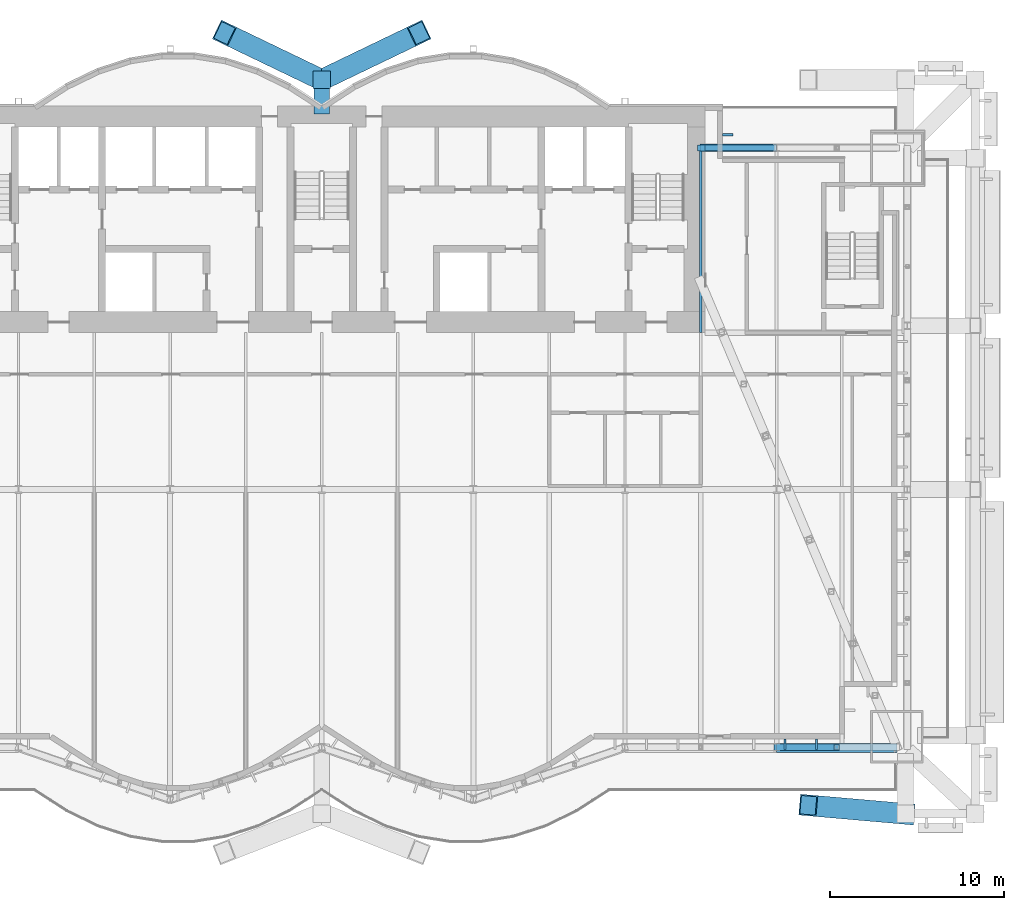
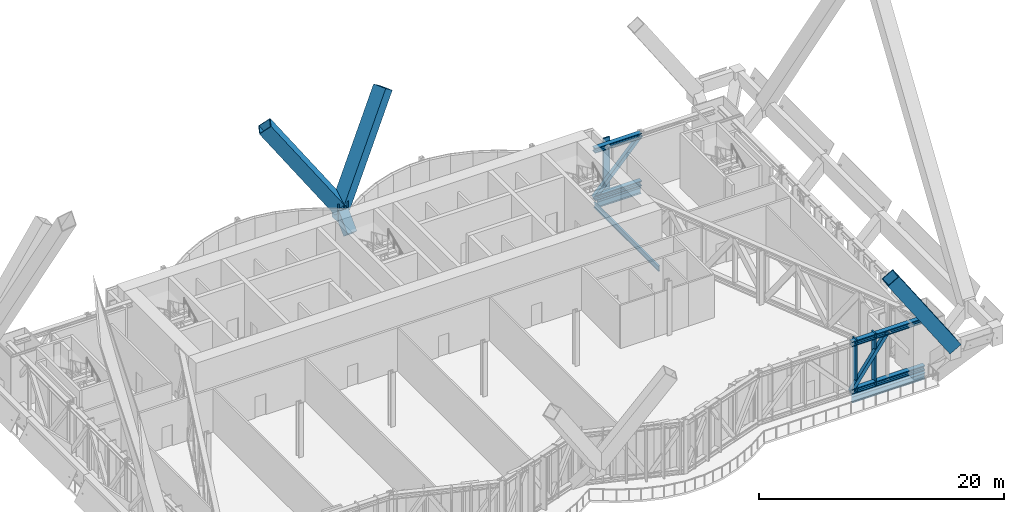
# One storey, part 15 of 32: 14 members, 3 beams, 1 element without a shape of its own.
"""IFC4 building model written with IfcOpenShell, lengths in metres."""

from ifc_helpers import new_model, si_unit, direction, frame, origin, origin_2d, place, context, subcontext, project, spatial, rectangle, hollow_rectangle, i_section, extrude, material, material_profile, profile_set, type_object, element, aggregate, save


model = new_model("IFC4")

# Units and contexts
model_context = context("Model", 3, precision=1e-05, world=origin(), true_north=direction((0.0, 1.0)))
body_context = subcontext(model_context, "Body", "Model", "MODEL_VIEW")
ifc_project = project(units=[si_unit("LENGTHUNIT", "METRE"), si_unit("AREAUNIT", "SQUARE_METRE"), si_unit("VOLUMEUNIT", "CUBIC_METRE"), si_unit("PLANEANGLEUNIT", "RADIAN"), si_unit("MASSUNIT", "GRAM", prefix="KILO")], contexts=[model_context])

# Site, building, storey
site_placement = place(None, origin())
site = spatial("IfcSite", under=ifc_project, at=site_placement, CompositionType="ELEMENT")
building_placement = place(site_placement, origin())
building = spatial("IfcBuilding", under=site, at=building_placement, Name="Bicima Exchange Tower", CompositionType="ELEMENT")
storey_placement = place(building_placement, frame((0.0, 0.0, 84.5)))
storey = spatial("IfcBuildingStorey", under=building, at=storey_placement, Name="L17", CompositionType="ELEMENT", Elevation=84.5)

# Curtain wall, members
ifc_material_1 = material(Name="Anodised bronze aluminium", Category="aluminium")
curtain_wall_type = type_object("IfcCurtainWallType", Name="Band blade screen", PredefinedType="NOTDEFINED", material=ifc_material_1)
curtain_wall_placement = place(storey_placement, origin())
curtain_wall = element("IfcCurtainWall", 1, at=curtain_wall_placement, inside=storey, type_object=curtain_wall_type, Name="Band blade screen L17", PredefinedType="NOTDEFINED")
ifc_material_profile_1 = material_profile(ifc_material_1, rectangle(XDim=0.60009765625, YDim=0.1201171875, at=origin_2d()))
ifc_profile_set_1 = profile_set([ifc_material_profile_1], Name="Anodised bronze aluminium")
member_type_1 = type_object("IfcMemberType", Name="Band blade fin 600 x 120", PredefinedType="USERDEFINED", material=ifc_profile_set_1)
member_1_placement = place(storey_placement, frame((23.300048828125, -1.64990234375, 0.0), z_axis=(0.0, 0.0, 1.0), x_axis=(-1.0, 0.0, 0.0)))
member_1 = element("IfcMember", 2, at=member_1_placement, type_object=member_type_1, Name="Band blade fin 13", ObjectType="FIN", PredefinedType="USERDEFINED", context=body_context, shape_type="SweptSolid", body=[
    extrude(rectangle(XDim=0.60009765625, YDim=0.1201171875, at=origin_2d()), origin(), (0.0, 0.0, 1.0), 5.25),
])
member_2_placement = place(storey_placement, frame((26.587158203125, -36.615966796875, 0.0), z_axis=(0.0, 0.0, 1.0), x_axis=(0.0, 1.0, 0.0)))
member_2 = element("IfcMember", 3, at=member_2_placement, type_object=member_type_1, Name="Band blade fin 59", ObjectType="FIN", PredefinedType="USERDEFINED", context=body_context, shape_type="SweptSolid", body=[
    extrude(rectangle(XDim=0.60009765625, YDim=0.1201171875, at=origin_2d()), origin(), (0.0, 0.0, 1.0), 5.25),
])
member_3_placement = place(storey_placement, frame((28.38720703125, -36.615966796875, 0.0), z_axis=(0.0, 0.0, 1.0), x_axis=(0.0, 1.0, 0.0)))
member_3 = element("IfcMember", 4, at=member_3_placement, type_object=member_type_1, Name="Band blade fin 60", ObjectType="FIN", PredefinedType="USERDEFINED", context=body_context, shape_type="SweptSolid", body=[
    extrude(rectangle(XDim=0.60009765625, YDim=0.1201171875, at=origin_2d()), origin(), (0.0, 0.0, 1.0), 5.25),
])
aggregate(curtain_wall, [member_1, member_2, member_3])

# Members
ifc_material_2 = material(Name="Steel ASTM A992 Gr 50", Category="steel")
ifc_material_profile_2 = material_profile(ifc_material_2, i_section(OverallWidth=0.431884765625, OverallDepth=0.497802734375, WebThickness=0.0556640625, FlangeThickness=0.0888671875, at=origin_2d()))
ifc_profile_set_2 = profile_set([ifc_material_profile_2], Name="Steel ASTM A992 Gr 50")
member_type_2 = type_object("IfcMemberType", Name="Belt truss chord W14x500", PredefinedType="CHORD", material=ifc_profile_set_2)
for number, where, z_axis, x_axis, name in (
    (5, (26.10009765625, -36.7939453125, 5.001220703125), (1.0, 0.0, 0.0), (0.0, 1.0, 0.0), "Top chord"),
    (6, (26.10009765625, -36.7939453125, 0.248779296875), (1.0, 0.0, 0.0), (0.0, 1.0, 0.0), "Bottom chord"),
):
    element("IfcMember", number, at=place(storey_placement, frame(where, z_axis=z_axis, x_axis=x_axis)), inside=storey, type_object=member_type_2, Name=name, PredefinedType="CHORD", context=body_context, shape_type="SweptSolid", body=[
        extrude(i_section(OverallWidth=0.431884765625, OverallDepth=0.497802734375, WebThickness=0.0556640625, FlangeThickness=0.0888671875, at=origin_2d()), origin(), (0.0, 0.0, 1.0), 6.89990234375),
    ])
for number, where, z_axis, x_axis, name in (
    (7, (21.699951171875, -2.39990234375, 5.001220703125), (1.0, 0.0, 0.0), (0.0, 1.0, 0.0), "Top chord"),
    (8, (21.699951171875, -2.39990234375, 0.248779296875), (1.0, 0.0, 0.0), (0.0, 1.0, 0.0), "Bottom chord"),
):
    element("IfcMember", number, at=place(storey_placement, frame(where, z_axis=z_axis, x_axis=x_axis)), inside=storey, type_object=member_type_2, Name=name, PredefinedType="CHORD", context=body_context, shape_type="SweptSolid", body=[
        extrude(i_section(OverallWidth=0.431884765625, OverallDepth=0.497802734375, WebThickness=0.0556640625, FlangeThickness=0.0888671875, at=origin_2d()), origin(), (0.0, 0.0, 1.0), 4.400146484375),
    ])
ifc_material_3 = material(Name="Steel ASTM A572 Gr 50", Category="steel")
ifc_material_profile_3 = material_profile(ifc_material_3, hollow_rectangle(XDim=0.355712890625, YDim=0.355712890625, WallThickness=0.0146484375, at=origin_2d()))
ifc_profile_set_3 = profile_set([ifc_material_profile_3], Name="Steel ASTM A572 Gr 50")
member_type_3 = type_object("IfcMemberType", Name="Belt truss diagonal HSS14x14x5/8", PredefinedType="STRUT", material=ifc_profile_set_3)
member_4_placement = place(storey_placement, frame((26.10009765625, -36.7939453125, 0.248779296875), z_axis=(0.587462041023, 0.0, 0.809251722493), x_axis=(0.0, 1.0, 0.0)))
element("IfcMember", 9, at=member_4_placement, inside=storey, type_object=member_type_3, Name="Truss diagonal", PredefinedType="STRUT", context=body_context, shape_type="SweptSolid", body=[
    extrude(hollow_rectangle(XDim=0.355712890625, YDim=0.355712890625, WallThickness=0.0146484375, at=origin_2d()), origin(), (0.0, 0.0, 1.0), 5.87255859375),
])
member_5_placement = place(storey_placement, frame((21.699951171875, -2.39990234375, 0.248779296875), z_axis=(0.67938623239, 0.0, 0.733780857776), x_axis=(0.0, 1.0, 0.0)))
element("IfcMember", 10, at=member_5_placement, inside=storey, type_object=member_type_3, Name="Truss diagonal", PredefinedType="STRUT", context=body_context, shape_type="SweptSolid", body=[
    extrude(hollow_rectangle(XDim=0.355712890625, YDim=0.355712890625, WallThickness=0.0146484375, at=origin_2d()), origin(), (0.0, 0.0, 1.0), 6.4765625),
])
ifc_material_profile_4 = material_profile(ifc_material_3, hollow_rectangle(XDim=1.199951171875, YDim=1.199951171875, WallThickness=0.070068359375, at=origin_2d()))
ifc_profile_set_4 = profile_set([ifc_material_profile_4], Name="Steel ASTM A572 Gr 50")
member_type_4 = type_object("IfcMemberType", Name="Exo mega brace BOX 1200x1200x70", PredefinedType="BRACE", material=ifc_profile_set_4)
member_6_placement = place(storey_placement, frame((0.0, 1.5, 4.5), z_axis=(0.53421092373, 0.257049149711, 0.80532255873), x_axis=(-0.433591692225, 0.901109451972, 0.0)))
element("IfcMember", 11, at=member_6_placement, inside=storey, type_object=member_type_4, Name="Exo mega brace rear", PredefinedType="BRACE", context=body_context, shape_type="SweptSolid", body=[
    extrude(hollow_rectangle(XDim=1.199951171875, YDim=1.199951171875, WallThickness=0.070068359375, at=origin_2d()), origin(), (0.0, 0.0, 1.0), 10.451416015625),
])
member_7_placement = place(storey_placement, frame((33.5, -40.61279296875, 4.5), z_axis=(-0.55214125077, 0.048263166745, 0.832352513022), x_axis=(-0.08707886834, -0.996201420742, 0.0)))
element("IfcMember", 12, at=member_7_placement, inside=storey, type_object=member_type_4, Name="Exo mega brace front", PredefinedType="BRACE", context=body_context, shape_type="SweptSolid", body=[
    extrude(hollow_rectangle(XDim=1.199951171875, YDim=1.199951171875, WallThickness=0.070068359375, at=origin_2d()), origin(), (0.0, 0.0, 1.0), 10.112060546875),
])
member_8_placement = place(storey_placement, frame((0.0, 1.5, 4.5), z_axis=(-0.53421092373, 0.257049149711, 0.80532255873), x_axis=(-0.433591692225, -0.901109451972, 0.0)))
element("IfcMember", 13, at=member_8_placement, inside=storey, type_object=member_type_4, Name="Exo mega brace rear", PredefinedType="BRACE", context=body_context, shape_type="SweptSolid", body=[
    extrude(hollow_rectangle(XDim=1.199951171875, YDim=1.199951171875, WallThickness=0.070068359375, at=origin_2d()), origin(), (0.0, 0.0, 1.0), 10.451416015625),
])
ifc_material_4 = material(Name="Cast steel ASTM A216 Gr WCB", Category="steel")
ifc_material_profile_5 = material_profile(ifc_material_4, rectangle(XDim=1.0, YDim=1.0, at=origin_2d()))
ifc_profile_set_5 = profile_set([ifc_material_profile_5], Name="Cast steel ASTM A216 Gr WCB")
member_type_5 = type_object("IfcMemberType", Name="Exo node block", PredefinedType="POST", material=ifc_profile_set_5)
member_9_placement = place(storey_placement, frame((0.0, 1.5, 3.449951171875), z_axis=(0.0, 0.0, 1.0), x_axis=(1.0, 0.0, 0.0)))
element("IfcMember", 14, at=member_9_placement, inside=storey, type_object=member_type_5, Name="Exo node block", PredefinedType="POST", context=body_context, shape_type="SweptSolid", body=[
    extrude(rectangle(XDim=1.0, YDim=1.0, at=origin_2d()), origin(), (0.0, 0.0, 1.0), 1.800048828125),
])
ifc_material_profile_6 = material_profile(ifc_material_3, hollow_rectangle(XDim=0.89990234375, YDim=0.89990234375, WallThickness=0.050048828125, at=origin_2d()))
ifc_profile_set_6 = profile_set([ifc_material_profile_6], Name="Steel ASTM A572 Gr 50")
member_type_6 = type_object("IfcMemberType", Name="Exo outrigger stub BOX 900x900x50", PredefinedType="STRUT", material=ifc_profile_set_6)
member_10_placement = place(storey_placement, frame((0.0, -0.14990234375, 2.85009765625), z_axis=(0.0, 0.707106781187, 0.707106781187), x_axis=(-1.0, 0.0, 0.0)))
element("IfcMember", 15, at=member_10_placement, inside=storey, type_object=member_type_6, Name="Exo outrigger stub", PredefinedType="STRUT", context=body_context, shape_type="SweptSolid", body=[
    extrude(hollow_rectangle(XDim=0.89990234375, YDim=0.89990234375, WallThickness=0.050048828125, at=origin_2d()), origin(), (0.0, 0.0, 1.0), 2.333251953125),
])

# Beams
ifc_material_profile_7 = material_profile(ifc_material_2, i_section(OverallWidth=0.165771484375, OverallDepth=0.5283203125, WebThickness=0.009765625, FlangeThickness=0.013671875, at=origin_2d()))
ifc_profile_set_7 = profile_set([ifc_material_profile_7], Name="Steel ASTM A992 Gr 50")
beam_type_1 = type_object("IfcBeamType", Name="Floor beam W21x50", PredefinedType="JOIST", material=ifc_profile_set_7)
beam_1_placement = place(storey_placement, frame((21.75, -2.39990234375, -0.464111328125), z_axis=(0.0, -1.0, 0.0), x_axis=(1.0, 0.0, 0.0)))
element("IfcBeam", 16, at=beam_1_placement, inside=storey, type_object=beam_type_1, Name="Floor beam", PredefinedType="JOIST", context=body_context, shape_type="SweptSolid", body=[
    extrude(i_section(OverallWidth=0.165771484375, OverallDepth=0.5283203125, WebThickness=0.009765625, FlangeThickness=0.013671875, at=origin_2d()), origin(), (0.0, 0.0, 1.0), 10.60009765625),
])
ifc_material_profile_8 = material_profile(ifc_material_2, i_section(OverallWidth=0.3251953125, OverallDepth=0.612060546875, WebThickness=0.0126953125, FlangeThickness=0.01904296875, at=origin_2d()))
ifc_profile_set_8 = profile_set([ifc_material_profile_8], Name="Steel ASTM A992 Gr 50")
beam_type_2 = type_object("IfcBeamType", Name="Front girder W24x104", PredefinedType="BEAM", material=ifc_profile_set_8)
beam_2_placement = place(storey_placement, frame((26.10009765625, -36.916015625, -0.506103515625), z_axis=(1.0, 0.0, 0.0), x_axis=(0.0, 1.0, 0.0)))
element("IfcBeam", 17, at=beam_2_placement, inside=storey, type_object=beam_type_2, Name="Front girder", PredefinedType="BEAM", context=body_context, shape_type="SweptSolid", body=[
    extrude(i_section(OverallWidth=0.3251953125, OverallDepth=0.612060546875, WebThickness=0.0126953125, FlangeThickness=0.01904296875, at=origin_2d()), origin(), (0.0, 0.0, 1.0), 6.89990234375),
])
beam_type_3 = type_object("IfcBeamType", Name="Rear girder W24x104", PredefinedType="BEAM", material=ifc_profile_set_8)
beam_3_placement = place(storey_placement, frame((22.0, -2.39990234375, -0.506103515625), z_axis=(1.0, 0.0, 0.0), x_axis=(0.0, 1.0, 0.0)))
element("IfcBeam", 18, at=beam_3_placement, inside=storey, type_object=beam_type_3, Name="Rear girder", PredefinedType="BEAM", context=body_context, shape_type="SweptSolid", body=[
    extrude(i_section(OverallWidth=0.3251953125, OverallDepth=0.612060546875, WebThickness=0.0126953125, FlangeThickness=0.01904296875, at=origin_2d()), origin(), (0.0, 0.0, 1.0), 4.10009765625),
])

save(model, "model.ifc")
